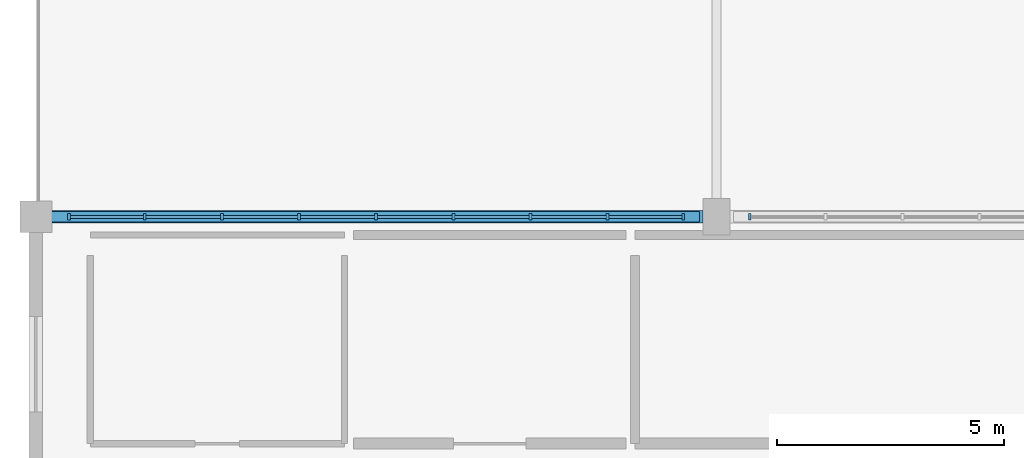
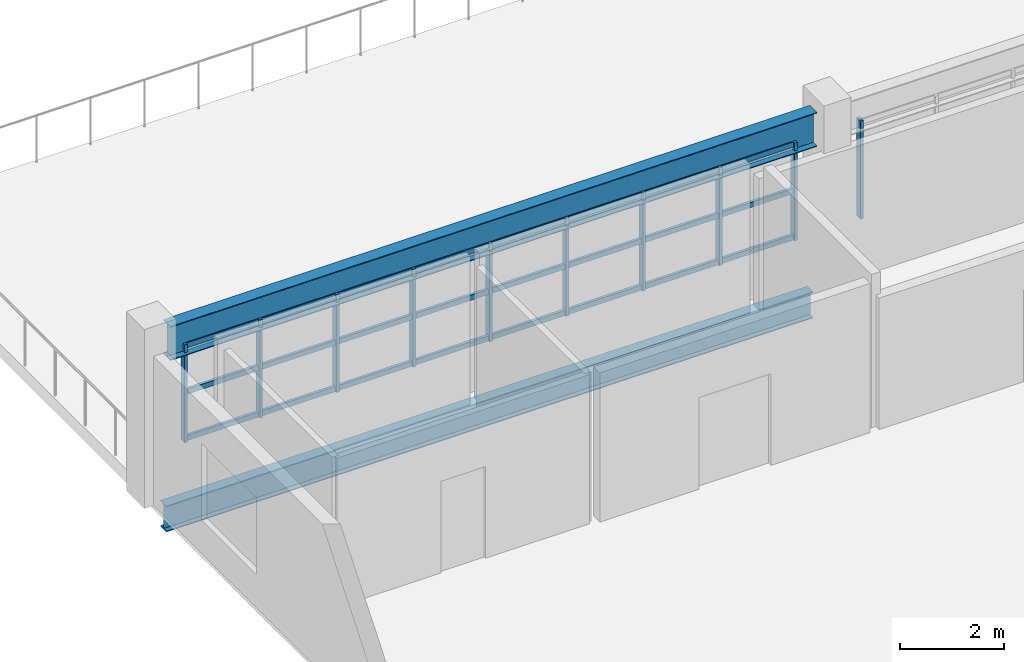
# One storey, part 8 of 92: 34 members, 2 beams, 2 elements without a shape of their own.
"""IFC4 building model written with IfcOpenShell, lengths in metres."""

from ifc_helpers import new_model, si_unit, direction, frame, origin, origin_2d, place, context, subcontext, project, spatial, rectangle, i_section, extrude, material, material_profile, profile_set, type_object, element, aggregate, save


model = new_model("IFC4")

# Units and contexts
model_context = context("Model", 3, precision=1e-05, world=origin(), true_north=direction((0.0, 1.0)))
body_context = subcontext(model_context, "Body", "Model", "MODEL_VIEW")
ifc_project = project(units=[si_unit("LENGTHUNIT", "METRE"), si_unit("AREAUNIT", "SQUARE_METRE"), si_unit("VOLUMEUNIT", "CUBIC_METRE"), si_unit("PLANEANGLEUNIT", "RADIAN"), si_unit("MASSUNIT", "GRAM", prefix="KILO")], contexts=[model_context])

# Site, building, storey
site_placement = place(None, origin())
site = spatial("IfcSite", under=ifc_project, at=site_placement, CompositionType="ELEMENT")
building_placement = place(site_placement, origin())
building = spatial("IfcBuilding", under=site, at=building_placement, Name="Solanera Park Tramway Depot", CompositionType="ELEMENT")
storey_placement = place(building_placement, frame((0.0, 0.0, 4.800048828125)))
storey = spatial("IfcBuildingStorey", under=building, at=storey_placement, Name="L01", CompositionType="ELEMENT", Elevation=4.800048828125)

# Curtain wall, members
ifc_material_1 = material(Name="Bronze-anodised thermally broken aluminium curtain wall", Category="aluminium")
curtain_wall_type = type_object("IfcCurtainWallType", Name="Workshop Daylight Ribbon Curtain Wall", PredefinedType="NOTDEFINED", material=ifc_material_1)
curtain_wall_1_placement = place(storey_placement, origin())
curtain_wall_1 = element("IfcCurtainWall", 1, at=curtain_wall_1_placement, inside=storey, type_object=curtain_wall_type, Name="L01 Workshop Daylight Ribbon Curtain Wall #141", PredefinedType="NOTDEFINED")
ifc_material_2 = material(Name="Bronze-anodised structural aluminium 6063-T6", Category="aluminium")
ifc_material_profile_1 = material_profile(ifc_material_2, rectangle(XDim=0.06494140625, YDim=0.14990234375, at=origin_2d()), Name="Curtain Wall Mullion 65x150")
ifc_profile_set_1 = profile_set([ifc_material_profile_1], Name="Bronze-anodised structural aluminium 6063-T6")
member_type_1 = type_object("IfcMemberType", Name="Curtain Wall Mullion 65x150", PredefinedType="MULLION", material=ifc_profile_set_1)
member_1_placement = place(storey_placement, frame((0.732421875, 32.39990234375, 1.0), z_axis=(0.0, 0.0, 1.0), x_axis=(1.0, 0.0, 0.0)))
member_1 = element("IfcMember", 2, at=member_1_placement, type_object=member_type_1, Name="CW-L01-141 Mullion 1", PredefinedType="MULLION", context=body_context, shape_type="SweptSolid", body=[
    extrude(rectangle(XDim=0.06494140625, YDim=0.14990234375, at=origin_2d()), origin(), (0.0, 0.0, 1.0), 2.300048828125),
])
member_2_placement = place(storey_placement, frame((2.39990234375, 32.39990234375, 1.0), z_axis=(0.0, 0.0, 1.0), x_axis=(1.0, 0.0, 0.0)))
member_2 = element("IfcMember", 3, at=member_2_placement, type_object=member_type_1, Name="CW-L01-141 Mullion 2", PredefinedType="MULLION", context=body_context, shape_type="SweptSolid", body=[
    extrude(rectangle(XDim=0.06494140625, YDim=0.14990234375, at=origin_2d()), origin(), (0.0, 0.0, 1.0), 2.300048828125),
])
member_3_placement = place(storey_placement, frame((4.10009765625, 32.39990234375, 1.0), z_axis=(0.0, 0.0, 1.0), x_axis=(1.0, 0.0, 0.0)))
member_3 = element("IfcMember", 4, at=member_3_placement, type_object=member_type_1, Name="CW-L01-141 Mullion 3", PredefinedType="MULLION", context=body_context, shape_type="SweptSolid", body=[
    extrude(rectangle(XDim=0.06494140625, YDim=0.14990234375, at=origin_2d()), origin(), (0.0, 0.0, 1.0), 2.300048828125),
])
member_4_placement = place(storey_placement, frame((5.800048828125, 32.39990234375, 1.0), z_axis=(0.0, 0.0, 1.0), x_axis=(1.0, 0.0, 0.0)))
member_4 = element("IfcMember", 5, at=member_4_placement, type_object=member_type_1, Name="CW-L01-141 Mullion 4", PredefinedType="MULLION", context=body_context, shape_type="SweptSolid", body=[
    extrude(rectangle(XDim=0.06494140625, YDim=0.14990234375, at=origin_2d()), origin(), (0.0, 0.0, 1.0), 2.300048828125),
])
member_5_placement = place(storey_placement, frame((7.5, 32.39990234375, 1.0), z_axis=(0.0, 0.0, 1.0), x_axis=(1.0, 0.0, 0.0)))
member_5 = element("IfcMember", 6, at=member_5_placement, type_object=member_type_1, Name="CW-L01-141 Mullion 5", PredefinedType="MULLION", context=body_context, shape_type="SweptSolid", body=[
    extrude(rectangle(XDim=0.06494140625, YDim=0.14990234375, at=origin_2d()), origin(), (0.0, 0.0, 1.0), 2.300048828125),
])
member_6_placement = place(storey_placement, frame((9.199951171875, 32.39990234375, 1.0), z_axis=(0.0, 0.0, 1.0), x_axis=(1.0, 0.0, 0.0)))
member_6 = element("IfcMember", 7, at=member_6_placement, type_object=member_type_1, Name="CW-L01-141 Mullion 6", PredefinedType="MULLION", context=body_context, shape_type="SweptSolid", body=[
    extrude(rectangle(XDim=0.06494140625, YDim=0.14990234375, at=origin_2d()), origin(), (0.0, 0.0, 1.0), 2.300048828125),
])
member_7_placement = place(storey_placement, frame((10.89990234375, 32.39990234375, 1.0), z_axis=(0.0, 0.0, 1.0), x_axis=(1.0, 0.0, 0.0)))
member_7 = element("IfcMember", 8, at=member_7_placement, type_object=member_type_1, Name="CW-L01-141 Mullion 7", PredefinedType="MULLION", context=body_context, shape_type="SweptSolid", body=[
    extrude(rectangle(XDim=0.06494140625, YDim=0.14990234375, at=origin_2d()), origin(), (0.0, 0.0, 1.0), 2.300048828125),
])
member_8_placement = place(storey_placement, frame((12.60009765625, 32.39990234375, 1.0), z_axis=(0.0, 0.0, 1.0), x_axis=(1.0, 0.0, 0.0)))
member_8 = element("IfcMember", 9, at=member_8_placement, type_object=member_type_1, Name="CW-L01-141 Mullion 8", PredefinedType="MULLION", context=body_context, shape_type="SweptSolid", body=[
    extrude(rectangle(XDim=0.06494140625, YDim=0.14990234375, at=origin_2d()), origin(), (0.0, 0.0, 1.0), 2.300048828125),
])
member_9_placement = place(storey_placement, frame((14.267578125, 32.39990234375, 1.0), z_axis=(0.0, 0.0, 1.0), x_axis=(1.0, 0.0, 0.0)))
member_9 = element("IfcMember", 10, at=member_9_placement, type_object=member_type_1, Name="CW-L01-141 Mullion 9", PredefinedType="MULLION", context=body_context, shape_type="SweptSolid", body=[
    extrude(rectangle(XDim=0.06494140625, YDim=0.14990234375, at=origin_2d()), origin(), (0.0, 0.0, 1.0), 2.300048828125),
])

# Curtain wall, member
curtain_wall_2_placement = place(storey_placement, origin())
curtain_wall_2 = element("IfcCurtainWall", 11, at=curtain_wall_2_placement, inside=storey, type_object=curtain_wall_type, Name="L01 Workshop Daylight Ribbon Curtain Wall #143", PredefinedType="NOTDEFINED")
member_10_placement = place(storey_placement, frame((15.732421875, 32.39990234375, 1.0), z_axis=(0.0, 0.0, 1.0), x_axis=(1.0, 0.0, 0.0)))
member_10 = element("IfcMember", 12, at=member_10_placement, type_object=member_type_1, Name="CW-L01-143 Mullion 1", PredefinedType="MULLION", context=body_context, shape_type="SweptSolid", body=[
    extrude(rectangle(XDim=0.06494140625, YDim=0.14990234375, at=origin_2d()), origin(), (0.0, 0.0, 1.0), 2.300048828125),
])
aggregate(curtain_wall_2, [member_10])

# Member
ifc_material_3 = material(Name="Bronze-anodised structural aluminium 6063-T6", Category="aluminium")
ifc_material_profile_2 = material_profile(ifc_material_3, rectangle(XDim=0.06494140625, YDim=0.1201171875, at=origin_2d()), Name="Curtain Wall Transom 65x120")
ifc_profile_set_2 = profile_set([ifc_material_profile_2], Name="Bronze-anodised structural aluminium 6063-T6")
member_type_2 = type_object("IfcMemberType", Name="Curtain Wall Transom 65x120", PredefinedType="USERDEFINED", material=ifc_profile_set_2)
member_11_placement = place(storey_placement, frame((0.760498046875, 32.39990234375, 1.06005859375), z_axis=(1.0, 0.0, 0.0), x_axis=(0.0, 1.0, 0.0)))
member_11 = element("IfcMember", 13, at=member_11_placement, type_object=member_type_2, Name="CW-L01-141 Transom R1.C1", ObjectType="TRANSOM", PredefinedType="USERDEFINED", context=body_context, shape_type="SweptSolid", body=[
    extrude(rectangle(XDim=0.06494140625, YDim=0.1201171875, at=origin_2d()), origin(), (0.0, 0.0, 1.0), 1.611572265625),
])

member_12_placement = place(storey_placement, frame((2.427978515625, 32.39990234375, 1.06005859375), z_axis=(1.0, 0.0, 0.0), x_axis=(0.0, 1.0, 0.0)))
member_12 = element("IfcMember", 14, at=member_12_placement, type_object=member_type_2, Name="CW-L01-141 Transom R1.C2", ObjectType="TRANSOM", PredefinedType="USERDEFINED", context=body_context, shape_type="SweptSolid", body=[
    extrude(rectangle(XDim=0.06494140625, YDim=0.1201171875, at=origin_2d()), origin(), (0.0, 0.0, 1.0), 1.64404296875),
])

member_13_placement = place(storey_placement, frame((4.1279296875, 32.39990234375, 1.06005859375), z_axis=(1.0, 0.0, 0.0), x_axis=(0.0, 1.0, 0.0)))
member_13 = element("IfcMember", 15, at=member_13_placement, type_object=member_type_2, Name="CW-L01-141 Transom R1.C3", ObjectType="TRANSOM", PredefinedType="USERDEFINED", context=body_context, shape_type="SweptSolid", body=[
    extrude(rectangle(XDim=0.06494140625, YDim=0.1201171875, at=origin_2d()), origin(), (0.0, 0.0, 1.0), 1.64404296875),
])

member_14_placement = place(storey_placement, frame((5.827880859375, 32.39990234375, 1.06005859375), z_axis=(1.0, 0.0, 0.0), x_axis=(0.0, 1.0, 0.0)))
member_14 = element("IfcMember", 16, at=member_14_placement, type_object=member_type_2, Name="CW-L01-141 Transom R1.C4", ObjectType="TRANSOM", PredefinedType="USERDEFINED", context=body_context, shape_type="SweptSolid", body=[
    extrude(rectangle(XDim=0.06494140625, YDim=0.1201171875, at=origin_2d()), origin(), (0.0, 0.0, 1.0), 1.64404296875),
])

member_15_placement = place(storey_placement, frame((7.528076171875, 32.39990234375, 1.06005859375), z_axis=(1.0, 0.0, 0.0), x_axis=(0.0, 1.0, 0.0)))
member_15 = element("IfcMember", 17, at=member_15_placement, type_object=member_type_2, Name="CW-L01-141 Transom R1.C5", ObjectType="TRANSOM", PredefinedType="USERDEFINED", context=body_context, shape_type="SweptSolid", body=[
    extrude(rectangle(XDim=0.06494140625, YDim=0.1201171875, at=origin_2d()), origin(), (0.0, 0.0, 1.0), 1.64404296875),
])

member_16_placement = place(storey_placement, frame((9.22802734375, 32.39990234375, 1.06005859375), z_axis=(1.0, 0.0, 0.0), x_axis=(0.0, 1.0, 0.0)))
member_16 = element("IfcMember", 18, at=member_16_placement, type_object=member_type_2, Name="CW-L01-141 Transom R1.C6", ObjectType="TRANSOM", PredefinedType="USERDEFINED", context=body_context, shape_type="SweptSolid", body=[
    extrude(rectangle(XDim=0.06494140625, YDim=0.1201171875, at=origin_2d()), origin(), (0.0, 0.0, 1.0), 1.64404296875),
])

member_17_placement = place(storey_placement, frame((10.927978515625, 32.39990234375, 1.06005859375), z_axis=(1.0, 0.0, 0.0), x_axis=(0.0, 1.0, 0.0)))
member_17 = element("IfcMember", 19, at=member_17_placement, type_object=member_type_2, Name="CW-L01-141 Transom R1.C7", ObjectType="TRANSOM", PredefinedType="USERDEFINED", context=body_context, shape_type="SweptSolid", body=[
    extrude(rectangle(XDim=0.06494140625, YDim=0.1201171875, at=origin_2d()), origin(), (0.0, 0.0, 1.0), 1.64404296875),
])

member_18_placement = place(storey_placement, frame((12.6279296875, 32.39990234375, 1.06005859375), z_axis=(1.0, 0.0, 0.0), x_axis=(0.0, 1.0, 0.0)))
member_18 = element("IfcMember", 20, at=member_18_placement, type_object=member_type_2, Name="CW-L01-141 Transom R1.C8", ObjectType="TRANSOM", PredefinedType="USERDEFINED", context=body_context, shape_type="SweptSolid", body=[
    extrude(rectangle(XDim=0.06494140625, YDim=0.1201171875, at=origin_2d()), origin(), (0.0, 0.0, 1.0), 1.611572265625),
])

member_19_placement = place(storey_placement, frame((0.760498046875, 32.39990234375, 2.14990234375), z_axis=(1.0, 0.0, 0.0), x_axis=(0.0, 1.0, 0.0)))
member_19 = element("IfcMember", 21, at=member_19_placement, type_object=member_type_2, Name="CW-L01-141 Transom R2.C1", ObjectType="TRANSOM", PredefinedType="USERDEFINED", context=body_context, shape_type="SweptSolid", body=[
    extrude(rectangle(XDim=0.06494140625, YDim=0.1201171875, at=origin_2d()), origin(), (0.0, 0.0, 1.0), 1.611572265625),
])

member_20_placement = place(storey_placement, frame((2.427978515625, 32.39990234375, 2.14990234375), z_axis=(1.0, 0.0, 0.0), x_axis=(0.0, 1.0, 0.0)))
member_20 = element("IfcMember", 22, at=member_20_placement, type_object=member_type_2, Name="CW-L01-141 Transom R2.C2", ObjectType="TRANSOM", PredefinedType="USERDEFINED", context=body_context, shape_type="SweptSolid", body=[
    extrude(rectangle(XDim=0.06494140625, YDim=0.1201171875, at=origin_2d()), origin(), (0.0, 0.0, 1.0), 1.64404296875),
])

member_21_placement = place(storey_placement, frame((4.1279296875, 32.39990234375, 2.14990234375), z_axis=(1.0, 0.0, 0.0), x_axis=(0.0, 1.0, 0.0)))
member_21 = element("IfcMember", 23, at=member_21_placement, type_object=member_type_2, Name="CW-L01-141 Transom R2.C3", ObjectType="TRANSOM", PredefinedType="USERDEFINED", context=body_context, shape_type="SweptSolid", body=[
    extrude(rectangle(XDim=0.06494140625, YDim=0.1201171875, at=origin_2d()), origin(), (0.0, 0.0, 1.0), 1.64404296875),
])

member_22_placement = place(storey_placement, frame((5.827880859375, 32.39990234375, 2.14990234375), z_axis=(1.0, 0.0, 0.0), x_axis=(0.0, 1.0, 0.0)))
member_22 = element("IfcMember", 24, at=member_22_placement, type_object=member_type_2, Name="CW-L01-141 Transom R2.C4", ObjectType="TRANSOM", PredefinedType="USERDEFINED", context=body_context, shape_type="SweptSolid", body=[
    extrude(rectangle(XDim=0.06494140625, YDim=0.1201171875, at=origin_2d()), origin(), (0.0, 0.0, 1.0), 1.64404296875),
])

member_23_placement = place(storey_placement, frame((7.528076171875, 32.39990234375, 2.14990234375), z_axis=(1.0, 0.0, 0.0), x_axis=(0.0, 1.0, 0.0)))
member_23 = element("IfcMember", 25, at=member_23_placement, type_object=member_type_2, Name="CW-L01-141 Transom R2.C5", ObjectType="TRANSOM", PredefinedType="USERDEFINED", context=body_context, shape_type="SweptSolid", body=[
    extrude(rectangle(XDim=0.06494140625, YDim=0.1201171875, at=origin_2d()), origin(), (0.0, 0.0, 1.0), 1.64404296875),
])

member_24_placement = place(storey_placement, frame((9.22802734375, 32.39990234375, 2.14990234375), z_axis=(1.0, 0.0, 0.0), x_axis=(0.0, 1.0, 0.0)))
member_24 = element("IfcMember", 26, at=member_24_placement, type_object=member_type_2, Name="CW-L01-141 Transom R2.C6", ObjectType="TRANSOM", PredefinedType="USERDEFINED", context=body_context, shape_type="SweptSolid", body=[
    extrude(rectangle(XDim=0.06494140625, YDim=0.1201171875, at=origin_2d()), origin(), (0.0, 0.0, 1.0), 1.64404296875),
])

member_25_placement = place(storey_placement, frame((10.927978515625, 32.39990234375, 2.14990234375), z_axis=(1.0, 0.0, 0.0), x_axis=(0.0, 1.0, 0.0)))
member_25 = element("IfcMember", 27, at=member_25_placement, type_object=member_type_2, Name="CW-L01-141 Transom R2.C7", ObjectType="TRANSOM", PredefinedType="USERDEFINED", context=body_context, shape_type="SweptSolid", body=[
    extrude(rectangle(XDim=0.06494140625, YDim=0.1201171875, at=origin_2d()), origin(), (0.0, 0.0, 1.0), 1.64404296875),
])

member_26_placement = place(storey_placement, frame((12.6279296875, 32.39990234375, 2.14990234375), z_axis=(1.0, 0.0, 0.0), x_axis=(0.0, 1.0, 0.0)))
member_26 = element("IfcMember", 28, at=member_26_placement, type_object=member_type_2, Name="CW-L01-141 Transom R2.C8", ObjectType="TRANSOM", PredefinedType="USERDEFINED", context=body_context, shape_type="SweptSolid", body=[
    extrude(rectangle(XDim=0.06494140625, YDim=0.1201171875, at=origin_2d()), origin(), (0.0, 0.0, 1.0), 1.611572265625),
])

member_27_placement = place(storey_placement, frame((0.760498046875, 32.39990234375, 3.239990234375), z_axis=(1.0, 0.0, 0.0), x_axis=(0.0, 1.0, 0.0)))
member_27 = element("IfcMember", 29, at=member_27_placement, type_object=member_type_2, Name="CW-L01-141 Transom R3.C1", ObjectType="TRANSOM", PredefinedType="USERDEFINED", context=body_context, shape_type="SweptSolid", body=[
    extrude(rectangle(XDim=0.06494140625, YDim=0.1201171875, at=origin_2d()), origin(), (0.0, 0.0, 1.0), 1.611572265625),
])

member_28_placement = place(storey_placement, frame((2.427978515625, 32.39990234375, 3.239990234375), z_axis=(1.0, 0.0, 0.0), x_axis=(0.0, 1.0, 0.0)))
member_28 = element("IfcMember", 30, at=member_28_placement, type_object=member_type_2, Name="CW-L01-141 Transom R3.C2", ObjectType="TRANSOM", PredefinedType="USERDEFINED", context=body_context, shape_type="SweptSolid", body=[
    extrude(rectangle(XDim=0.06494140625, YDim=0.1201171875, at=origin_2d()), origin(), (0.0, 0.0, 1.0), 1.64404296875),
])

member_29_placement = place(storey_placement, frame((4.1279296875, 32.39990234375, 3.239990234375), z_axis=(1.0, 0.0, 0.0), x_axis=(0.0, 1.0, 0.0)))
member_29 = element("IfcMember", 31, at=member_29_placement, type_object=member_type_2, Name="CW-L01-141 Transom R3.C3", ObjectType="TRANSOM", PredefinedType="USERDEFINED", context=body_context, shape_type="SweptSolid", body=[
    extrude(rectangle(XDim=0.06494140625, YDim=0.1201171875, at=origin_2d()), origin(), (0.0, 0.0, 1.0), 1.64404296875),
])

member_30_placement = place(storey_placement, frame((5.827880859375, 32.39990234375, 3.239990234375), z_axis=(1.0, 0.0, 0.0), x_axis=(0.0, 1.0, 0.0)))
member_30 = element("IfcMember", 32, at=member_30_placement, type_object=member_type_2, Name="CW-L01-141 Transom R3.C4", ObjectType="TRANSOM", PredefinedType="USERDEFINED", context=body_context, shape_type="SweptSolid", body=[
    extrude(rectangle(XDim=0.06494140625, YDim=0.1201171875, at=origin_2d()), origin(), (0.0, 0.0, 1.0), 1.64404296875),
])

member_31_placement = place(storey_placement, frame((7.528076171875, 32.39990234375, 3.239990234375), z_axis=(1.0, 0.0, 0.0), x_axis=(0.0, 1.0, 0.0)))
member_31 = element("IfcMember", 33, at=member_31_placement, type_object=member_type_2, Name="CW-L01-141 Transom R3.C5", ObjectType="TRANSOM", PredefinedType="USERDEFINED", context=body_context, shape_type="SweptSolid", body=[
    extrude(rectangle(XDim=0.06494140625, YDim=0.1201171875, at=origin_2d()), origin(), (0.0, 0.0, 1.0), 1.64404296875),
])

member_32_placement = place(storey_placement, frame((9.22802734375, 32.39990234375, 3.239990234375), z_axis=(1.0, 0.0, 0.0), x_axis=(0.0, 1.0, 0.0)))
member_32 = element("IfcMember", 34, at=member_32_placement, type_object=member_type_2, Name="CW-L01-141 Transom R3.C6", ObjectType="TRANSOM", PredefinedType="USERDEFINED", context=body_context, shape_type="SweptSolid", body=[
    extrude(rectangle(XDim=0.06494140625, YDim=0.1201171875, at=origin_2d()), origin(), (0.0, 0.0, 1.0), 1.64404296875),
])

member_33_placement = place(storey_placement, frame((10.927978515625, 32.39990234375, 3.239990234375), z_axis=(1.0, 0.0, 0.0), x_axis=(0.0, 1.0, 0.0)))
member_33 = element("IfcMember", 35, at=member_33_placement, type_object=member_type_2, Name="CW-L01-141 Transom R3.C7", ObjectType="TRANSOM", PredefinedType="USERDEFINED", context=body_context, shape_type="SweptSolid", body=[
    extrude(rectangle(XDim=0.06494140625, YDim=0.1201171875, at=origin_2d()), origin(), (0.0, 0.0, 1.0), 1.64404296875),
])

member_34_placement = place(storey_placement, frame((12.6279296875, 32.39990234375, 3.239990234375), z_axis=(1.0, 0.0, 0.0), x_axis=(0.0, 1.0, 0.0)))
member_34 = element("IfcMember", 36, at=member_34_placement, type_object=member_type_2, Name="CW-L01-141 Transom R3.C8", ObjectType="TRANSOM", PredefinedType="USERDEFINED", context=body_context, shape_type="SweptSolid", body=[
    extrude(rectangle(XDim=0.06494140625, YDim=0.1201171875, at=origin_2d()), origin(), (0.0, 0.0, 1.0), 1.611572265625),
])

aggregate(curtain_wall_1, [member_1, member_2, member_3, member_4, member_5, member_6, member_7, member_8, member_9, member_11, member_12, member_13, member_14, member_15, member_16, member_17, member_18, member_19, member_20, member_21, member_22, member_23, member_24, member_25, member_26, member_27, member_28, member_29, member_30, member_31, member_32, member_33, member_34])

# Beams
ifc_material_4 = material(Name="Steel AS/NZS 3679.1 Grade 350", Category="steel")
ifc_material_profile_3 = material_profile(ifc_material_4, i_section(OverallWidth=0.22900390625, OverallDepth=0.611572265625, WebThickness=0.011962890625, FlangeThickness=0.01953125, at=origin_2d()), Name="610UB125")
ifc_profile_set_3 = profile_set([ifc_material_profile_3], Name="Steel AS/NZS 3679.1 Grade 350")
beam_type_1 = type_object("IfcBeamType", Name="Steel Beam 610UB125", PredefinedType="BEAM", material=ifc_profile_set_3)
beam_1_placement = place(storey_placement, frame((0.27490234375, 32.39990234375, -0.60986328125), z_axis=(1.0, 0.0, 0.0), x_axis=(0.0, 1.0, 0.0)))
element("IfcBeam", 37, at=beam_1_placement, inside=storey, type_object=beam_type_1, Name="L01 Primary X-Girder 610UB125 #0014", PredefinedType="BEAM", context=body_context, shape_type="SweptSolid", body=[
    extrude(i_section(OverallWidth=0.22900390625, OverallDepth=0.611572265625, WebThickness=0.011962890625, FlangeThickness=0.01953125, at=origin_2d()), origin(), (0.0, 0.0, 1.0), 14.35009765625),
])
ifc_material_5 = material(Name="Steel AS/NZS 3679.1 Grade 350", Category="steel")
ifc_material_profile_4 = material_profile(ifc_material_5, i_section(OverallWidth=0.27490234375, OverallDepth=0.800048828125, WebThickness=0.010009765625, FlangeThickness=0.02001953125, at=origin_2d()), Name="800WB146")
ifc_profile_set_4 = profile_set([ifc_material_profile_4], Name="Steel AS/NZS 3679.1 Grade 350")
beam_type_2 = type_object("IfcBeamType", Name="Steel Beam 800WB146", PredefinedType="BEAM", material=ifc_profile_set_4)
beam_2_placement = place(storey_placement, frame((0.35009765625, 32.39990234375, 3.494873046875), z_axis=(1.0, 0.0, 0.0), x_axis=(0.0, 1.0, 0.0)))
element("IfcBeam", 38, at=beam_2_placement, inside=storey, type_object=beam_type_2, Name="Bridge Crane Runway Girder 800WB146 #0401", PredefinedType="BEAM", context=body_context, shape_type="SweptSolid", body=[
    extrude(i_section(OverallWidth=0.27490234375, OverallDepth=0.800048828125, WebThickness=0.010009765625, FlangeThickness=0.02001953125, at=origin_2d()), origin(), (0.0, 0.0, 1.0), 14.349853515625),
])

save(model, "model.ifc")
